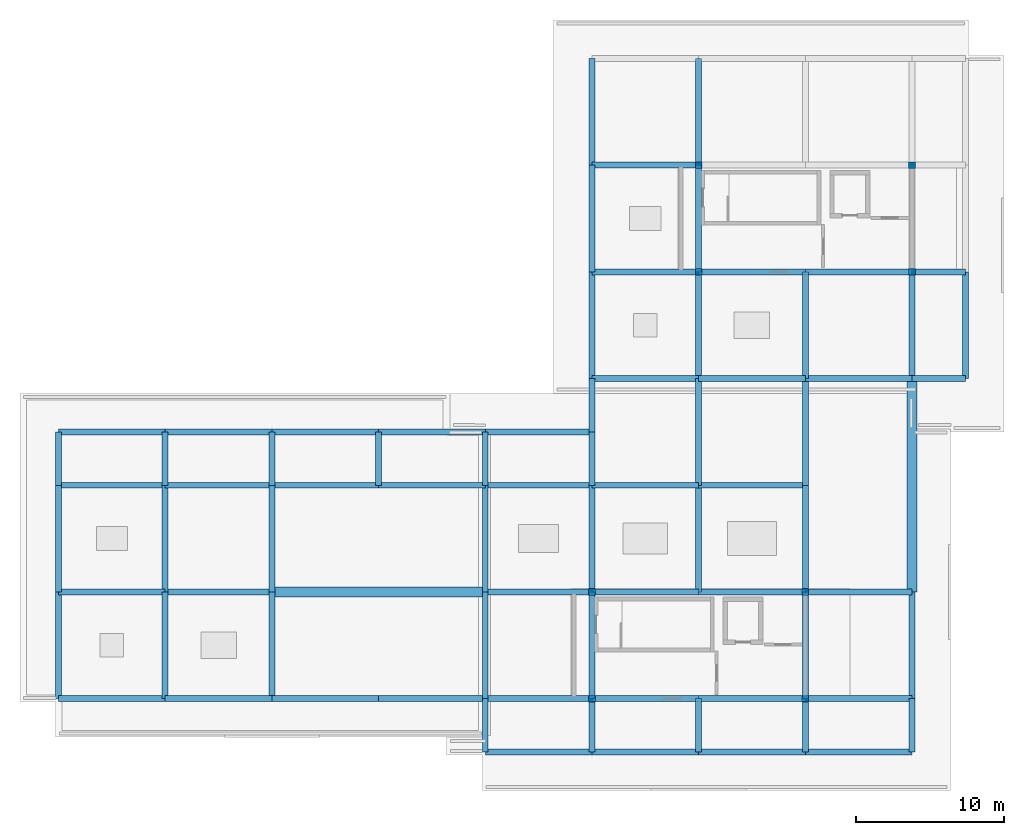
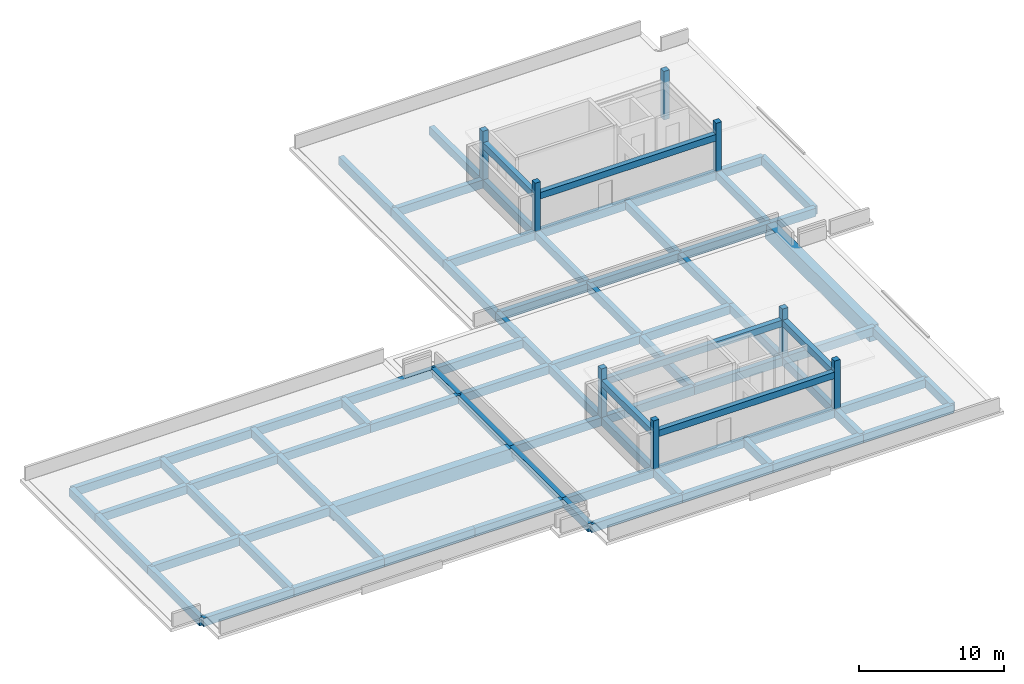
# One storey, part 1 of 4: 84 beams, 8 columns.
"""IFC4 building model written with IfcOpenShell, lengths in metres."""

from ifc_helpers import new_model, si_unit, direction, frame, origin, origin_2d, place, context, subcontext, project, spatial, rectangle, extrude, material, material_profile, profile_set, type_object, element, save


model = new_model("IFC4")

# Units and contexts
model_context = context("Model", 3, precision=1e-05, world=origin(), true_north=direction((0.0, 1.0)))
body_context = subcontext(model_context, "Body", "Model", "MODEL_VIEW")
ifc_project = project(units=[si_unit("LENGTHUNIT", "METRE"), si_unit("AREAUNIT", "SQUARE_METRE"), si_unit("VOLUMEUNIT", "CUBIC_METRE"), si_unit("PLANEANGLEUNIT", "RADIAN"), si_unit("MASSUNIT", "GRAM", prefix="KILO")], contexts=[model_context])

# Site, building, storey
site_placement = place(None, origin())
site = spatial("IfcSite", under=ifc_project, at=site_placement, CompositionType="ELEMENT")
building_placement = place(site_placement, origin())
building = spatial("IfcBuilding", under=site, at=building_placement, Name="Seraya Terrace Polytechnic", CompositionType="ELEMENT")
storey_placement = place(building_placement, frame((0.0, 0.0, 36.89990234375)))
storey = spatial("IfcBuildingStorey", under=building, at=storey_placement, Name="RF", CompositionType="ELEMENT", Elevation=36.89990234375)

# Columns
ifc_material = material(Name="Concrete C40/50", Category="concrete")
ifc_material_profile_1 = material_profile(ifc_material, rectangle(XDim=0.449951171875, YDim=0.449951171875, at=origin_2d()), Name="RC 450x450")
ifc_profile_set_1 = profile_set([ifc_material_profile_1], Name="Concrete C40/50")
column_type = type_object("IfcColumnType", Name="C-12", PredefinedType="COLUMN", material=ifc_profile_set_1)
for number, where, z_axis, x_axis, name in (
    (1, (79.199951171875, 7.199951171875, 0.0), (0.0, 0.0, 1.0), (1.0, 0.0, 0.0), "Roof headhouse column C-12 RF (79.2, 7.2)"),
    (2, (93.60009765625, 7.199951171875, 0.0), (0.0, 0.0, 1.0), (1.0, 0.0, 0.0), "Roof headhouse column C-12 RF (93.6, 7.2)"),
    (3, (79.199951171875, 14.39990234375, 0.0), (0.0, 0.0, 1.0), (1.0, 0.0, 0.0), "Roof headhouse column C-12 RF (79.2, 14.4)"),
    (4, (93.60009765625, 14.39990234375, 0.0), (0.0, 0.0, 1.0), (1.0, 0.0, 0.0), "Roof headhouse column C-12 RF (93.6, 14.4)"),
    (5, (86.39990234375, 36.0, 0.0), (0.0, 0.0, 1.0), (1.0, 0.0, 0.0), "Roof headhouse column C-12 RF (86.4, 36.0)"),
    (6, (100.800048828125, 36.0, 0.0), (0.0, 0.0, 1.0), (1.0, 0.0, 0.0), "Roof headhouse column C-12 RF (100.8, 36.0)"),
    (7, (86.39990234375, 43.199951171875, 0.0), (0.0, 0.0, 1.0), (1.0, 0.0, 0.0), "Roof headhouse column C-12 RF (86.4, 43.2)"),
    (8, (100.800048828125, 43.199951171875, 0.0), (0.0, 0.0, 1.0), (1.0, 0.0, 0.0), "Roof headhouse column C-12 RF (100.8, 43.2)"),
):
    element("IfcColumn", number, at=place(storey_placement, frame(where, z_axis=z_axis, x_axis=x_axis)), inside=storey, type_object=column_type, Name=name, PredefinedType="COLUMN", context=body_context, shape_type="SweptSolid", body=[
        extrude(rectangle(XDim=0.449951171875, YDim=0.449951171875, at=origin_2d()), origin(), (0.0, 0.0, 1.0), 4.090087890625),
    ])

# Beams
ifc_material_profile_2 = material_profile(ifc_material, rectangle(XDim=0.699951171875, YDim=1.300048828125, at=origin_2d()), Name="RC 700x1300")
ifc_profile_set_2 = profile_set([ifc_material_profile_2], Name="Concrete C40/50")
beam_type_1 = type_object("IfcBeamType", Name="BG-01", PredefinedType="USERDEFINED", material=ifc_profile_set_2)
beam_1_placement = place(storey_placement, frame((100.800048828125, 14.39990234375, -0.64990234375), z_axis=(0.0, 1.0, 0.0), x_axis=(-1.0, 0.0, 0.0)))
element("IfcBeam", 9, at=beam_1_placement, inside=storey, type_object=beam_type_1, Name="Beam BG-01 RF Y (100.8, 14.4..28.8)", ObjectType="GIRDER", PredefinedType="USERDEFINED", context=body_context, shape_type="SweptSolid", body=[
    extrude(rectangle(XDim=0.699951171875, YDim=1.300048828125, at=origin_2d()), origin(), (0.0, 0.0, 1.0), 14.400146484375),
])
ifc_material_profile_3 = material_profile(ifc_material, rectangle(XDim=0.64990234375, YDim=1.14990234375, at=origin_2d()), Name="RC 650x1150")
ifc_profile_set_3 = profile_set([ifc_material_profile_3], Name="Concrete C40/50")
beam_type_2 = type_object("IfcBeamType", Name="BG-02", PredefinedType="USERDEFINED", material=ifc_profile_set_3)
beam_2_placement = place(storey_placement, frame((57.60009765625, 14.39990234375, -0.574951171875), z_axis=(1.0, 0.0, 0.0), x_axis=(0.0, 1.0, 0.0)))
element("IfcBeam", 10, at=beam_2_placement, inside=storey, type_object=beam_type_2, Name="Beam BG-02 RF X (57.6..72.0, 14.4)", ObjectType="GIRDER", PredefinedType="USERDEFINED", context=body_context, shape_type="SweptSolid", body=[
    extrude(rectangle(XDim=0.64990234375, YDim=1.14990234375, at=origin_2d()), origin(), (0.0, 0.0, 1.0), 14.39990234375),
])
ifc_material_profile_4 = material_profile(ifc_material, rectangle(XDim=0.39990234375, YDim=0.699951171875, at=origin_2d()), Name="RC 400x700")
ifc_profile_set_4 = profile_set([ifc_material_profile_4], Name="Concrete C40/50")
beam_type_3 = type_object("IfcBeamType", Name="BM-10", PredefinedType="BEAM", material=ifc_profile_set_4)
for number, where, z_axis, x_axis, name in (
    (11, (72.0, 3.60009765625, -0.349853515625), (1.0, 0.0, 0.0), (0.0, 1.0, 0.0), "Beam BM-10 RF X (72.0..79.2, 3.6)"),
    (12, (79.199951171875, 3.60009765625, -0.349853515625), (1.0, 0.0, 0.0), (0.0, 1.0, 0.0), "Beam BM-10 RF X (79.2..86.4, 3.6)"),
):
    element("IfcBeam", number, at=place(storey_placement, frame(where, z_axis=z_axis, x_axis=x_axis)), inside=storey, type_object=beam_type_3, Name=name, PredefinedType="BEAM", context=body_context, shape_type="SweptSolid", body=[
        extrude(rectangle(XDim=0.39990234375, YDim=0.699951171875, at=origin_2d()), origin(), (0.0, 0.0, 1.0), 7.199951171875),
    ])
beam_3_placement = place(storey_placement, frame((86.39990234375, 3.60009765625, -0.349853515625), z_axis=(1.0, 0.0, 0.0), x_axis=(0.0, 1.0, 0.0)))
element("IfcBeam", 13, at=beam_3_placement, inside=storey, type_object=beam_type_3, Name="Beam BM-10 RF X (86.4..93.6, 3.6)", PredefinedType="BEAM", context=body_context, shape_type="SweptSolid", body=[
    extrude(rectangle(XDim=0.39990234375, YDim=0.699951171875, at=origin_2d()), origin(), (0.0, 0.0, 1.0), 7.2001953125),
])
for number, where, z_axis, x_axis, name in (
    (14, (93.60009765625, 3.60009765625, -0.349853515625), (1.0, 0.0, 0.0), (0.0, 1.0, 0.0), "Beam BM-10 RF X (93.6..100.8, 3.6)"),
    (15, (43.199951171875, 7.199951171875, -0.349853515625), (1.0, 0.0, 0.0), (0.0, 1.0, 0.0), "Beam BM-10 RF X (43.2..50.4, 7.2)"),
):
    element("IfcBeam", number, at=place(storey_placement, frame(where, z_axis=z_axis, x_axis=x_axis)), inside=storey, type_object=beam_type_3, Name=name, PredefinedType="BEAM", context=body_context, shape_type="SweptSolid", body=[
        extrude(rectangle(XDim=0.39990234375, YDim=0.699951171875, at=origin_2d()), origin(), (0.0, 0.0, 1.0), 7.199951171875),
    ])
beam_4_placement = place(storey_placement, frame((50.39990234375, 7.199951171875, -0.349853515625), z_axis=(1.0, 0.0, 0.0), x_axis=(0.0, 1.0, 0.0)))
element("IfcBeam", 16, at=beam_4_placement, inside=storey, type_object=beam_type_3, Name="Beam BM-10 RF X (50.4..57.6, 7.2)", PredefinedType="BEAM", context=body_context, shape_type="SweptSolid", body=[
    extrude(rectangle(XDim=0.39990234375, YDim=0.699951171875, at=origin_2d()), origin(), (0.0, 0.0, 1.0), 7.2001953125),
])
for number, where, z_axis, x_axis, name in (
    (17, (57.60009765625, 7.199951171875, -0.349853515625), (1.0, 0.0, 0.0), (0.0, 1.0, 0.0), "Beam BM-10 RF X (57.6..64.8, 7.2)"),
    (18, (64.800048828125, 7.199951171875, -0.349853515625), (1.0, 0.0, 0.0), (0.0, 1.0, 0.0), "Beam BM-10 RF X (64.8..72.0, 7.2)"),
    (19, (72.0, 7.199951171875, -0.349853515625), (1.0, 0.0, 0.0), (0.0, 1.0, 0.0), "Beam BM-10 RF X (72.0..79.2, 7.2)"),
    (20, (79.199951171875, 7.199951171875, -0.349853515625), (1.0, 0.0, 0.0), (0.0, 1.0, 0.0), "Beam BM-10 RF X (79.2..86.4, 7.2)"),
):
    element("IfcBeam", number, at=place(storey_placement, frame(where, z_axis=z_axis, x_axis=x_axis)), inside=storey, type_object=beam_type_3, Name=name, PredefinedType="BEAM", context=body_context, shape_type="SweptSolid", body=[
        extrude(rectangle(XDim=0.39990234375, YDim=0.699951171875, at=origin_2d()), origin(), (0.0, 0.0, 1.0), 7.199951171875),
    ])
beam_5_placement = place(storey_placement, frame((86.39990234375, 7.199951171875, -0.349853515625), z_axis=(1.0, 0.0, 0.0), x_axis=(0.0, 1.0, 0.0)))
element("IfcBeam", 21, at=beam_5_placement, inside=storey, type_object=beam_type_3, Name="Beam BM-10 RF X (86.4..93.6, 7.2)", PredefinedType="BEAM", context=body_context, shape_type="SweptSolid", body=[
    extrude(rectangle(XDim=0.39990234375, YDim=0.699951171875, at=origin_2d()), origin(), (0.0, 0.0, 1.0), 7.2001953125),
])
for number, where, z_axis, x_axis, name in (
    (22, (93.60009765625, 7.199951171875, -0.349853515625), (1.0, 0.0, 0.0), (0.0, 1.0, 0.0), "Beam BM-10 RF X (93.6..100.8, 7.2)"),
    (23, (43.199951171875, 14.39990234375, -0.349853515625), (1.0, 0.0, 0.0), (0.0, 1.0, 0.0), "Beam BM-10 RF X (43.2..50.4, 14.4)"),
):
    element("IfcBeam", number, at=place(storey_placement, frame(where, z_axis=z_axis, x_axis=x_axis)), inside=storey, type_object=beam_type_3, Name=name, PredefinedType="BEAM", context=body_context, shape_type="SweptSolid", body=[
        extrude(rectangle(XDim=0.39990234375, YDim=0.699951171875, at=origin_2d()), origin(), (0.0, 0.0, 1.0), 7.199951171875),
    ])
beam_6_placement = place(storey_placement, frame((50.39990234375, 14.39990234375, -0.349853515625), z_axis=(1.0, 0.0, 0.0), x_axis=(0.0, 1.0, 0.0)))
element("IfcBeam", 24, at=beam_6_placement, inside=storey, type_object=beam_type_3, Name="Beam BM-10 RF X (50.4..57.6, 14.4)", PredefinedType="BEAM", context=body_context, shape_type="SweptSolid", body=[
    extrude(rectangle(XDim=0.39990234375, YDim=0.699951171875, at=origin_2d()), origin(), (0.0, 0.0, 1.0), 7.2001953125),
])
for number, where, z_axis, x_axis, name in (
    (25, (72.0, 14.39990234375, -0.349853515625), (1.0, 0.0, 0.0), (0.0, 1.0, 0.0), "Beam BM-10 RF X (72.0..79.2, 14.4)"),
    (26, (79.199951171875, 14.39990234375, -0.349853515625), (1.0, 0.0, 0.0), (0.0, 1.0, 0.0), "Beam BM-10 RF X (79.2..86.4, 14.4)"),
):
    element("IfcBeam", number, at=place(storey_placement, frame(where, z_axis=z_axis, x_axis=x_axis)), inside=storey, type_object=beam_type_3, Name=name, PredefinedType="BEAM", context=body_context, shape_type="SweptSolid", body=[
        extrude(rectangle(XDim=0.39990234375, YDim=0.699951171875, at=origin_2d()), origin(), (0.0, 0.0, 1.0), 7.199951171875),
    ])
beam_7_placement = place(storey_placement, frame((86.39990234375, 14.39990234375, -0.349853515625), z_axis=(1.0, 0.0, 0.0), x_axis=(0.0, 1.0, 0.0)))
element("IfcBeam", 27, at=beam_7_placement, inside=storey, type_object=beam_type_3, Name="Beam BM-10 RF X (86.4..93.6, 14.4)", PredefinedType="BEAM", context=body_context, shape_type="SweptSolid", body=[
    extrude(rectangle(XDim=0.39990234375, YDim=0.699951171875, at=origin_2d()), origin(), (0.0, 0.0, 1.0), 7.2001953125),
])
for number, where, z_axis, x_axis, name in (
    (28, (93.60009765625, 14.39990234375, -0.349853515625), (1.0, 0.0, 0.0), (0.0, 1.0, 0.0), "Beam BM-10 RF X (93.6..100.8, 14.4)"),
    (29, (43.199951171875, 21.60009765625, -0.349853515625), (1.0, 0.0, 0.0), (0.0, 1.0, 0.0), "Beam BM-10 RF X (43.2..50.4, 21.6)"),
):
    element("IfcBeam", number, at=place(storey_placement, frame(where, z_axis=z_axis, x_axis=x_axis)), inside=storey, type_object=beam_type_3, Name=name, PredefinedType="BEAM", context=body_context, shape_type="SweptSolid", body=[
        extrude(rectangle(XDim=0.39990234375, YDim=0.699951171875, at=origin_2d()), origin(), (0.0, 0.0, 1.0), 7.199951171875),
    ])
beam_8_placement = place(storey_placement, frame((50.39990234375, 21.60009765625, -0.349853515625), z_axis=(1.0, 0.0, 0.0), x_axis=(0.0, 1.0, 0.0)))
element("IfcBeam", 30, at=beam_8_placement, inside=storey, type_object=beam_type_3, Name="Beam BM-10 RF X (50.4..57.6, 21.6)", PredefinedType="BEAM", context=body_context, shape_type="SweptSolid", body=[
    extrude(rectangle(XDim=0.39990234375, YDim=0.699951171875, at=origin_2d()), origin(), (0.0, 0.0, 1.0), 7.2001953125),
])
for number, where, z_axis, x_axis, name in (
    (31, (57.60009765625, 21.60009765625, -0.349853515625), (1.0, 0.0, 0.0), (0.0, 1.0, 0.0), "Beam BM-10 RF X (57.6..64.8, 21.6)"),
    (32, (64.800048828125, 21.60009765625, -0.349853515625), (1.0, 0.0, 0.0), (0.0, 1.0, 0.0), "Beam BM-10 RF X (64.8..72.0, 21.6)"),
    (33, (72.0, 21.60009765625, -0.349853515625), (1.0, 0.0, 0.0), (0.0, 1.0, 0.0), "Beam BM-10 RF X (72.0..79.2, 21.6)"),
    (34, (79.199951171875, 21.60009765625, -0.349853515625), (1.0, 0.0, 0.0), (0.0, 1.0, 0.0), "Beam BM-10 RF X (79.2..86.4, 21.6)"),
):
    element("IfcBeam", number, at=place(storey_placement, frame(where, z_axis=z_axis, x_axis=x_axis)), inside=storey, type_object=beam_type_3, Name=name, PredefinedType="BEAM", context=body_context, shape_type="SweptSolid", body=[
        extrude(rectangle(XDim=0.39990234375, YDim=0.699951171875, at=origin_2d()), origin(), (0.0, 0.0, 1.0), 7.199951171875),
    ])
beam_9_placement = place(storey_placement, frame((86.39990234375, 21.60009765625, -0.349853515625), z_axis=(1.0, 0.0, 0.0), x_axis=(0.0, 1.0, 0.0)))
element("IfcBeam", 35, at=beam_9_placement, inside=storey, type_object=beam_type_3, Name="Beam BM-10 RF X (86.4..93.6, 21.6)", PredefinedType="BEAM", context=body_context, shape_type="SweptSolid", body=[
    extrude(rectangle(XDim=0.39990234375, YDim=0.699951171875, at=origin_2d()), origin(), (0.0, 0.0, 1.0), 7.2001953125),
])
beam_10_placement = place(storey_placement, frame((43.199951171875, 25.199951171875, -0.349853515625), z_axis=(1.0, 0.0, 0.0), x_axis=(0.0, 1.0, 0.0)))
element("IfcBeam", 36, at=beam_10_placement, inside=storey, type_object=beam_type_3, Name="Beam BM-10 RF X (43.2..50.4, 25.2)", PredefinedType="BEAM", context=body_context, shape_type="SweptSolid", body=[
    extrude(rectangle(XDim=0.39990234375, YDim=0.699951171875, at=origin_2d()), origin(), (0.0, 0.0, 1.0), 7.199951171875),
])
beam_11_placement = place(storey_placement, frame((50.39990234375, 25.199951171875, -0.349853515625), z_axis=(1.0, 0.0, 0.0), x_axis=(0.0, 1.0, 0.0)))
element("IfcBeam", 37, at=beam_11_placement, inside=storey, type_object=beam_type_3, Name="Beam BM-10 RF X (50.4..57.6, 25.2)", PredefinedType="BEAM", context=body_context, shape_type="SweptSolid", body=[
    extrude(rectangle(XDim=0.39990234375, YDim=0.699951171875, at=origin_2d()), origin(), (0.0, 0.0, 1.0), 7.2001953125),
])
for number, where, z_axis, x_axis, name in (
    (38, (57.60009765625, 25.199951171875, -0.349853515625), (1.0, 0.0, 0.0), (0.0, 1.0, 0.0), "Beam BM-10 RF X (57.6..64.8, 25.2)"),
    (39, (64.800048828125, 25.199951171875, -0.349853515625), (1.0, 0.0, 0.0), (0.0, 1.0, 0.0), "Beam BM-10 RF X (64.8..72.0, 25.2)"),
    (40, (72.0, 25.199951171875, -0.349853515625), (1.0, 0.0, 0.0), (0.0, 1.0, 0.0), "Beam BM-10 RF X (72.0..79.2, 25.2)"),
    (41, (79.199951171875, 28.800048828125, -0.349853515625), (1.0, 0.0, 0.0), (0.0, 1.0, 0.0), "Beam BM-10 RF X (79.2..86.4, 28.8)"),
):
    element("IfcBeam", number, at=place(storey_placement, frame(where, z_axis=z_axis, x_axis=x_axis)), inside=storey, type_object=beam_type_3, Name=name, PredefinedType="BEAM", context=body_context, shape_type="SweptSolid", body=[
        extrude(rectangle(XDim=0.39990234375, YDim=0.699951171875, at=origin_2d()), origin(), (0.0, 0.0, 1.0), 7.199951171875),
    ])
beam_12_placement = place(storey_placement, frame((86.39990234375, 28.800048828125, -0.349853515625), z_axis=(1.0, 0.0, 0.0), x_axis=(0.0, 1.0, 0.0)))
element("IfcBeam", 42, at=beam_12_placement, inside=storey, type_object=beam_type_3, Name="Beam BM-10 RF X (86.4..93.6, 28.8)", PredefinedType="BEAM", context=body_context, shape_type="SweptSolid", body=[
    extrude(rectangle(XDim=0.39990234375, YDim=0.699951171875, at=origin_2d()), origin(), (0.0, 0.0, 1.0), 7.2001953125),
])
beam_13_placement = place(storey_placement, frame((93.60009765625, 28.800048828125, -0.349853515625), z_axis=(1.0, 0.0, 0.0), x_axis=(0.0, 1.0, 0.0)))
element("IfcBeam", 43, at=beam_13_placement, inside=storey, type_object=beam_type_3, Name="Beam BM-10 RF X (93.6..100.8, 28.8)", PredefinedType="BEAM", context=body_context, shape_type="SweptSolid", body=[
    extrude(rectangle(XDim=0.39990234375, YDim=0.699951171875, at=origin_2d()), origin(), (0.0, 0.0, 1.0), 7.199951171875),
])
beam_14_placement = place(storey_placement, frame((100.800048828125, 28.800048828125, -0.349853515625), z_axis=(1.0, 0.0, 0.0), x_axis=(0.0, 1.0, 0.0)))
element("IfcBeam", 44, at=beam_14_placement, inside=storey, type_object=beam_type_3, Name="Beam BM-10 RF X (100.8..104.4, 28.8)", PredefinedType="BEAM", context=body_context, shape_type="SweptSolid", body=[
    extrude(rectangle(XDim=0.39990234375, YDim=0.699951171875, at=origin_2d()), origin(), (0.0, 0.0, 1.0), 3.599853515625),
])
beam_15_placement = place(storey_placement, frame((79.199951171875, 36.0, -0.349853515625), z_axis=(1.0, 0.0, 0.0), x_axis=(0.0, 1.0, 0.0)))
element("IfcBeam", 45, at=beam_15_placement, inside=storey, type_object=beam_type_3, Name="Beam BM-10 RF X (79.2..86.4, 36.0)", PredefinedType="BEAM", context=body_context, shape_type="SweptSolid", body=[
    extrude(rectangle(XDim=0.39990234375, YDim=0.699951171875, at=origin_2d()), origin(), (0.0, 0.0, 1.0), 7.199951171875),
])
beam_16_placement = place(storey_placement, frame((86.39990234375, 36.0, -0.349853515625), z_axis=(1.0, 0.0, 0.0), x_axis=(0.0, 1.0, 0.0)))
element("IfcBeam", 46, at=beam_16_placement, inside=storey, type_object=beam_type_3, Name="Beam BM-10 RF X (86.4..93.6, 36.0)", PredefinedType="BEAM", context=body_context, shape_type="SweptSolid", body=[
    extrude(rectangle(XDim=0.39990234375, YDim=0.699951171875, at=origin_2d()), origin(), (0.0, 0.0, 1.0), 7.2001953125),
])
beam_17_placement = place(storey_placement, frame((93.60009765625, 36.0, -0.349853515625), z_axis=(1.0, 0.0, 0.0), x_axis=(0.0, 1.0, 0.0)))
element("IfcBeam", 47, at=beam_17_placement, inside=storey, type_object=beam_type_3, Name="Beam BM-10 RF X (93.6..100.8, 36.0)", PredefinedType="BEAM", context=body_context, shape_type="SweptSolid", body=[
    extrude(rectangle(XDim=0.39990234375, YDim=0.699951171875, at=origin_2d()), origin(), (0.0, 0.0, 1.0), 7.199951171875),
])
beam_18_placement = place(storey_placement, frame((100.800048828125, 36.0, -0.349853515625), z_axis=(1.0, 0.0, 0.0), x_axis=(0.0, 1.0, 0.0)))
element("IfcBeam", 48, at=beam_18_placement, inside=storey, type_object=beam_type_3, Name="Beam BM-10 RF X (100.8..104.4, 36.0)", PredefinedType="BEAM", context=body_context, shape_type="SweptSolid", body=[
    extrude(rectangle(XDim=0.39990234375, YDim=0.699951171875, at=origin_2d()), origin(), (0.0, 0.0, 1.0), 3.599853515625),
])
for number, where, z_axis, x_axis, name in (
    (49, (79.199951171875, 43.199951171875, -0.349853515625), (1.0, 0.0, 0.0), (0.0, 1.0, 0.0), "Beam BM-10 RF X (79.2..86.4, 43.2)"),
    (50, (43.199951171875, 7.199951171875, -0.349853515625), (0.0, 1.0, 0.0), (-1.0, 0.0, 0.0), "Beam BM-10 RF Y (43.2, 7.2..14.4)"),
):
    element("IfcBeam", number, at=place(storey_placement, frame(where, z_axis=z_axis, x_axis=x_axis)), inside=storey, type_object=beam_type_3, Name=name, PredefinedType="BEAM", context=body_context, shape_type="SweptSolid", body=[
        extrude(rectangle(XDim=0.39990234375, YDim=0.699951171875, at=origin_2d()), origin(), (0.0, 0.0, 1.0), 7.199951171875),
    ])
beam_19_placement = place(storey_placement, frame((43.199951171875, 14.39990234375, -0.349853515625), z_axis=(0.0, 1.0, 0.0), x_axis=(-1.0, 0.0, 0.0)))
element("IfcBeam", 51, at=beam_19_placement, inside=storey, type_object=beam_type_3, Name="Beam BM-10 RF Y (43.2, 14.4..21.6)", PredefinedType="BEAM", context=body_context, shape_type="SweptSolid", body=[
    extrude(rectangle(XDim=0.39990234375, YDim=0.699951171875, at=origin_2d()), origin(), (0.0, 0.0, 1.0), 7.2001953125),
])
beam_20_placement = place(storey_placement, frame((43.199951171875, 21.60009765625, -0.349853515625), z_axis=(0.0, 1.0, 0.0), x_axis=(-1.0, 0.0, 0.0)))
element("IfcBeam", 52, at=beam_20_placement, inside=storey, type_object=beam_type_3, Name="Beam BM-10 RF Y (43.2, 21.6..25.2)", PredefinedType="BEAM", context=body_context, shape_type="SweptSolid", body=[
    extrude(rectangle(XDim=0.39990234375, YDim=0.699951171875, at=origin_2d()), origin(), (0.0, 0.0, 1.0), 3.599853515625),
])
beam_21_placement = place(storey_placement, frame((50.39990234375, 7.199951171875, -0.349853515625), z_axis=(0.0, 1.0, 0.0), x_axis=(-1.0, 0.0, 0.0)))
element("IfcBeam", 53, at=beam_21_placement, inside=storey, type_object=beam_type_3, Name="Beam BM-10 RF Y (50.4, 7.2..14.4)", PredefinedType="BEAM", context=body_context, shape_type="SweptSolid", body=[
    extrude(rectangle(XDim=0.39990234375, YDim=0.699951171875, at=origin_2d()), origin(), (0.0, 0.0, 1.0), 7.199951171875),
])
beam_22_placement = place(storey_placement, frame((50.39990234375, 14.39990234375, -0.349853515625), z_axis=(0.0, 1.0, 0.0), x_axis=(-1.0, 0.0, 0.0)))
element("IfcBeam", 54, at=beam_22_placement, inside=storey, type_object=beam_type_3, Name="Beam BM-10 RF Y (50.4, 14.4..21.6)", PredefinedType="BEAM", context=body_context, shape_type="SweptSolid", body=[
    extrude(rectangle(XDim=0.39990234375, YDim=0.699951171875, at=origin_2d()), origin(), (0.0, 0.0, 1.0), 7.2001953125),
])
beam_23_placement = place(storey_placement, frame((50.39990234375, 21.60009765625, -0.349853515625), z_axis=(0.0, 1.0, 0.0), x_axis=(-1.0, 0.0, 0.0)))
element("IfcBeam", 55, at=beam_23_placement, inside=storey, type_object=beam_type_3, Name="Beam BM-10 RF Y (50.4, 21.6..25.2)", PredefinedType="BEAM", context=body_context, shape_type="SweptSolid", body=[
    extrude(rectangle(XDim=0.39990234375, YDim=0.699951171875, at=origin_2d()), origin(), (0.0, 0.0, 1.0), 3.599853515625),
])
beam_24_placement = place(storey_placement, frame((57.60009765625, 7.199951171875, -0.349853515625), z_axis=(0.0, 1.0, 0.0), x_axis=(-1.0, 0.0, 0.0)))
element("IfcBeam", 56, at=beam_24_placement, inside=storey, type_object=beam_type_3, Name="Beam BM-10 RF Y (57.6, 7.2..14.4)", PredefinedType="BEAM", context=body_context, shape_type="SweptSolid", body=[
    extrude(rectangle(XDim=0.39990234375, YDim=0.699951171875, at=origin_2d()), origin(), (0.0, 0.0, 1.0), 7.199951171875),
])
beam_25_placement = place(storey_placement, frame((57.60009765625, 14.39990234375, -0.349853515625), z_axis=(0.0, 1.0, 0.0), x_axis=(-1.0, 0.0, 0.0)))
element("IfcBeam", 57, at=beam_25_placement, inside=storey, type_object=beam_type_3, Name="Beam BM-10 RF Y (57.6, 14.4..21.6)", PredefinedType="BEAM", context=body_context, shape_type="SweptSolid", body=[
    extrude(rectangle(XDim=0.39990234375, YDim=0.699951171875, at=origin_2d()), origin(), (0.0, 0.0, 1.0), 7.2001953125),
])
for number, where, z_axis, x_axis, name in (
    (58, (57.60009765625, 21.60009765625, -0.349853515625), (0.0, 1.0, 0.0), (-1.0, 0.0, 0.0), "Beam BM-10 RF Y (57.6, 21.6..25.2)"),
    (59, (64.800048828125, 21.60009765625, -0.349853515625), (0.0, 1.0, 0.0), (-1.0, 0.0, 0.0), "Beam BM-10 RF Y (64.8, 21.6..25.2)"),
    (60, (72.0, 3.60009765625, -0.349853515625), (0.0, 1.0, 0.0), (-1.0, 0.0, 0.0), "Beam BM-10 RF Y (72.0, 3.6..7.2)"),
):
    element("IfcBeam", number, at=place(storey_placement, frame(where, z_axis=z_axis, x_axis=x_axis)), inside=storey, type_object=beam_type_3, Name=name, PredefinedType="BEAM", context=body_context, shape_type="SweptSolid", body=[
        extrude(rectangle(XDim=0.39990234375, YDim=0.699951171875, at=origin_2d()), origin(), (0.0, 0.0, 1.0), 3.599853515625),
    ])
beam_26_placement = place(storey_placement, frame((72.0, 7.199951171875, -0.349853515625), z_axis=(0.0, 1.0, 0.0), x_axis=(-1.0, 0.0, 0.0)))
element("IfcBeam", 61, at=beam_26_placement, inside=storey, type_object=beam_type_3, Name="Beam BM-10 RF Y (72.0, 7.2..14.4)", PredefinedType="BEAM", context=body_context, shape_type="SweptSolid", body=[
    extrude(rectangle(XDim=0.39990234375, YDim=0.699951171875, at=origin_2d()), origin(), (0.0, 0.0, 1.0), 7.199951171875),
])
beam_27_placement = place(storey_placement, frame((72.0, 14.39990234375, -0.349853515625), z_axis=(0.0, 1.0, 0.0), x_axis=(-1.0, 0.0, 0.0)))
element("IfcBeam", 62, at=beam_27_placement, inside=storey, type_object=beam_type_3, Name="Beam BM-10 RF Y (72.0, 14.4..21.6)", PredefinedType="BEAM", context=body_context, shape_type="SweptSolid", body=[
    extrude(rectangle(XDim=0.39990234375, YDim=0.699951171875, at=origin_2d()), origin(), (0.0, 0.0, 1.0), 7.2001953125),
])
for number, where, z_axis, x_axis, name in (
    (63, (72.0, 21.60009765625, -0.349853515625), (0.0, 1.0, 0.0), (-1.0, 0.0, 0.0), "Beam BM-10 RF Y (72.0, 21.6..25.2)"),
    (64, (79.199951171875, 3.60009765625, -0.349853515625), (0.0, 1.0, 0.0), (-1.0, 0.0, 0.0), "Beam BM-10 RF Y (79.2, 3.6..7.2)"),
):
    element("IfcBeam", number, at=place(storey_placement, frame(where, z_axis=z_axis, x_axis=x_axis)), inside=storey, type_object=beam_type_3, Name=name, PredefinedType="BEAM", context=body_context, shape_type="SweptSolid", body=[
        extrude(rectangle(XDim=0.39990234375, YDim=0.699951171875, at=origin_2d()), origin(), (0.0, 0.0, 1.0), 3.599853515625),
    ])
beam_28_placement = place(storey_placement, frame((79.199951171875, 7.199951171875, -0.349853515625), z_axis=(0.0, 1.0, 0.0), x_axis=(-1.0, 0.0, 0.0)))
element("IfcBeam", 65, at=beam_28_placement, inside=storey, type_object=beam_type_3, Name="Beam BM-10 RF Y (79.2, 7.2..14.4)", PredefinedType="BEAM", context=body_context, shape_type="SweptSolid", body=[
    extrude(rectangle(XDim=0.39990234375, YDim=0.699951171875, at=origin_2d()), origin(), (0.0, 0.0, 1.0), 7.199951171875),
])
beam_29_placement = place(storey_placement, frame((79.199951171875, 14.39990234375, -0.349853515625), z_axis=(0.0, 1.0, 0.0), x_axis=(-1.0, 0.0, 0.0)))
element("IfcBeam", 66, at=beam_29_placement, inside=storey, type_object=beam_type_3, Name="Beam BM-10 RF Y (79.2, 14.4..21.6)", PredefinedType="BEAM", context=body_context, shape_type="SweptSolid", body=[
    extrude(rectangle(XDim=0.39990234375, YDim=0.699951171875, at=origin_2d()), origin(), (0.0, 0.0, 1.0), 7.2001953125),
])
beam_30_placement = place(storey_placement, frame((79.199951171875, 21.60009765625, -0.349853515625), z_axis=(0.0, 1.0, 0.0), x_axis=(-1.0, 0.0, 0.0)))
element("IfcBeam", 67, at=beam_30_placement, inside=storey, type_object=beam_type_3, Name="Beam BM-10 RF Y (79.2, 21.6..25.2)", PredefinedType="BEAM", context=body_context, shape_type="SweptSolid", body=[
    extrude(rectangle(XDim=0.39990234375, YDim=0.699951171875, at=origin_2d()), origin(), (0.0, 0.0, 1.0), 3.599853515625),
])
beam_31_placement = place(storey_placement, frame((79.199951171875, 25.199951171875, -0.349853515625), z_axis=(0.0, 1.0, 0.0), x_axis=(-1.0, 0.0, 0.0)))
element("IfcBeam", 68, at=beam_31_placement, inside=storey, type_object=beam_type_3, Name="Beam BM-10 RF Y (79.2, 25.2..28.8)", PredefinedType="BEAM", context=body_context, shape_type="SweptSolid", body=[
    extrude(rectangle(XDim=0.39990234375, YDim=0.699951171875, at=origin_2d()), origin(), (0.0, 0.0, 1.0), 3.60009765625),
])
for number, where, z_axis, x_axis, name in (
    (69, (79.199951171875, 28.800048828125, -0.349853515625), (0.0, 1.0, 0.0), (-1.0, 0.0, 0.0), "Beam BM-10 RF Y (79.2, 28.8..36.0)"),
    (70, (79.199951171875, 36.0, -0.349853515625), (0.0, 1.0, 0.0), (-1.0, 0.0, 0.0), "Beam BM-10 RF Y (79.2, 36.0..43.2)"),
    (71, (79.199951171875, 43.199951171875, -0.349853515625), (0.0, 1.0, 0.0), (-1.0, 0.0, 0.0), "Beam BM-10 RF Y (79.2, 43.2..50.4)"),
):
    element("IfcBeam", number, at=place(storey_placement, frame(where, z_axis=z_axis, x_axis=x_axis)), inside=storey, type_object=beam_type_3, Name=name, PredefinedType="BEAM", context=body_context, shape_type="SweptSolid", body=[
        extrude(rectangle(XDim=0.39990234375, YDim=0.699951171875, at=origin_2d()), origin(), (0.0, 0.0, 1.0), 7.199951171875),
    ])
beam_32_placement = place(storey_placement, frame((86.39990234375, 3.60009765625, -0.349853515625), z_axis=(0.0, 1.0, 0.0), x_axis=(-1.0, 0.0, 0.0)))
element("IfcBeam", 72, at=beam_32_placement, inside=storey, type_object=beam_type_3, Name="Beam BM-10 RF Y (86.4, 3.6..7.2)", PredefinedType="BEAM", context=body_context, shape_type="SweptSolid", body=[
    extrude(rectangle(XDim=0.39990234375, YDim=0.699951171875, at=origin_2d()), origin(), (0.0, 0.0, 1.0), 3.599853515625),
])
beam_33_placement = place(storey_placement, frame((86.39990234375, 14.39990234375, -0.349853515625), z_axis=(0.0, 1.0, 0.0), x_axis=(-1.0, 0.0, 0.0)))
element("IfcBeam", 73, at=beam_33_placement, inside=storey, type_object=beam_type_3, Name="Beam BM-10 RF Y (86.4, 14.4..21.6)", PredefinedType="BEAM", context=body_context, shape_type="SweptSolid", body=[
    extrude(rectangle(XDim=0.39990234375, YDim=0.699951171875, at=origin_2d()), origin(), (0.0, 0.0, 1.0), 7.2001953125),
])
for number, where, z_axis, x_axis, name in (
    (74, (86.39990234375, 21.60009765625, -0.349853515625), (0.0, 1.0, 0.0), (-1.0, 0.0, 0.0), "Beam BM-10 RF Y (86.4, 21.6..28.8)"),
    (75, (86.39990234375, 28.800048828125, -0.349853515625), (0.0, 1.0, 0.0), (-1.0, 0.0, 0.0), "Beam BM-10 RF Y (86.4, 28.8..36.0)"),
    (76, (86.39990234375, 36.0, -0.349853515625), (0.0, 1.0, 0.0), (-1.0, 0.0, 0.0), "Beam BM-10 RF Y (86.4, 36.0..43.2)"),
    (77, (86.39990234375, 43.199951171875, -0.349853515625), (0.0, 1.0, 0.0), (-1.0, 0.0, 0.0), "Beam BM-10 RF Y (86.4, 43.2..50.4)"),
):
    element("IfcBeam", number, at=place(storey_placement, frame(where, z_axis=z_axis, x_axis=x_axis)), inside=storey, type_object=beam_type_3, Name=name, PredefinedType="BEAM", context=body_context, shape_type="SweptSolid", body=[
        extrude(rectangle(XDim=0.39990234375, YDim=0.699951171875, at=origin_2d()), origin(), (0.0, 0.0, 1.0), 7.199951171875),
    ])
beam_34_placement = place(storey_placement, frame((93.60009765625, 3.60009765625, -0.349853515625), z_axis=(0.0, 1.0, 0.0), x_axis=(-1.0, 0.0, 0.0)))
element("IfcBeam", 78, at=beam_34_placement, inside=storey, type_object=beam_type_3, Name="Beam BM-10 RF Y (93.6, 3.6..7.2)", PredefinedType="BEAM", context=body_context, shape_type="SweptSolid", body=[
    extrude(rectangle(XDim=0.39990234375, YDim=0.699951171875, at=origin_2d()), origin(), (0.0, 0.0, 1.0), 3.599853515625),
])
beam_35_placement = place(storey_placement, frame((93.60009765625, 7.199951171875, -0.349853515625), z_axis=(0.0, 1.0, 0.0), x_axis=(-1.0, 0.0, 0.0)))
element("IfcBeam", 79, at=beam_35_placement, inside=storey, type_object=beam_type_3, Name="Beam BM-10 RF Y (93.6, 7.2..14.4)", PredefinedType="BEAM", context=body_context, shape_type="SweptSolid", body=[
    extrude(rectangle(XDim=0.39990234375, YDim=0.699951171875, at=origin_2d()), origin(), (0.0, 0.0, 1.0), 7.199951171875),
])
beam_36_placement = place(storey_placement, frame((93.60009765625, 14.39990234375, -0.349853515625), z_axis=(0.0, 1.0, 0.0), x_axis=(-1.0, 0.0, 0.0)))
element("IfcBeam", 80, at=beam_36_placement, inside=storey, type_object=beam_type_3, Name="Beam BM-10 RF Y (93.6, 14.4..21.6)", PredefinedType="BEAM", context=body_context, shape_type="SweptSolid", body=[
    extrude(rectangle(XDim=0.39990234375, YDim=0.699951171875, at=origin_2d()), origin(), (0.0, 0.0, 1.0), 7.2001953125),
])
for number, where, z_axis, x_axis, name in (
    (81, (93.60009765625, 21.60009765625, -0.349853515625), (0.0, 1.0, 0.0), (-1.0, 0.0, 0.0), "Beam BM-10 RF Y (93.6, 21.6..28.8)"),
    (82, (93.60009765625, 28.800048828125, -0.349853515625), (0.0, 1.0, 0.0), (-1.0, 0.0, 0.0), "Beam BM-10 RF Y (93.6, 28.8..36.0)"),
):
    element("IfcBeam", number, at=place(storey_placement, frame(where, z_axis=z_axis, x_axis=x_axis)), inside=storey, type_object=beam_type_3, Name=name, PredefinedType="BEAM", context=body_context, shape_type="SweptSolid", body=[
        extrude(rectangle(XDim=0.39990234375, YDim=0.699951171875, at=origin_2d()), origin(), (0.0, 0.0, 1.0), 7.199951171875),
    ])
beam_37_placement = place(storey_placement, frame((100.800048828125, 3.60009765625, -0.349853515625), z_axis=(0.0, 1.0, 0.0), x_axis=(-1.0, 0.0, 0.0)))
element("IfcBeam", 83, at=beam_37_placement, inside=storey, type_object=beam_type_3, Name="Beam BM-10 RF Y (100.8, 3.6..7.2)", PredefinedType="BEAM", context=body_context, shape_type="SweptSolid", body=[
    extrude(rectangle(XDim=0.39990234375, YDim=0.699951171875, at=origin_2d()), origin(), (0.0, 0.0, 1.0), 3.599853515625),
])
for number, where, z_axis, x_axis, name in (
    (84, (100.800048828125, 7.199951171875, -0.349853515625), (0.0, 1.0, 0.0), (-1.0, 0.0, 0.0), "Beam BM-10 RF Y (100.8, 7.2..14.4)"),
    (85, (100.800048828125, 28.800048828125, -0.349853515625), (0.0, 1.0, 0.0), (-1.0, 0.0, 0.0), "Beam BM-10 RF Y (100.8, 28.8..36.0)"),
    (86, (104.39990234375, 28.800048828125, -0.349853515625), (0.0, 1.0, 0.0), (-1.0, 0.0, 0.0), "Beam BM-10 RF Y (104.4, 28.8..36.0)"),
):
    element("IfcBeam", number, at=place(storey_placement, frame(where, z_axis=z_axis, x_axis=x_axis)), inside=storey, type_object=beam_type_3, Name=name, PredefinedType="BEAM", context=body_context, shape_type="SweptSolid", body=[
        extrude(rectangle(XDim=0.39990234375, YDim=0.699951171875, at=origin_2d()), origin(), (0.0, 0.0, 1.0), 7.199951171875),
    ])
ifc_material_profile_5 = material_profile(ifc_material, rectangle(XDim=0.39990234375, YDim=0.550048828125, at=origin_2d()), Name="RC 400x550")
ifc_profile_set_5 = profile_set([ifc_material_profile_5], Name="Concrete C40/50")
beam_type_4 = type_object("IfcBeamType", Name="BM-11", PredefinedType="BEAM", material=ifc_profile_set_5)
for number, where, z_axis, x_axis, name in (
    (87, (79.199951171875, 7.199951171875, 2.875), (1.0, 0.0, 0.0), (0.0, 1.0, 0.0), "Headhouse roof tie beam BM-RF-HHA-S"),
    (88, (79.199951171875, 14.39990234375, 2.875), (1.0, 0.0, 0.0), (0.0, 1.0, 0.0), "Headhouse roof tie beam BM-RF-HHA-N"),
):
    element("IfcBeam", number, at=place(storey_placement, frame(where, z_axis=z_axis, x_axis=x_axis)), inside=storey, type_object=beam_type_4, Name=name, PredefinedType="BEAM", context=body_context, shape_type="SweptSolid", body=[
        extrude(rectangle(XDim=0.39990234375, YDim=0.550048828125, at=origin_2d()), origin(), (0.0, 0.0, 1.0), 14.400146484375),
    ])
for number, where, z_axis, x_axis, name in (
    (89, (79.199951171875, 7.199951171875, 2.875), (0.0, 1.0, 0.0), (-1.0, 0.0, 0.0), "Headhouse roof tie beam BM-RF-HHA-W"),
    (90, (93.60009765625, 7.199951171875, 2.875), (0.0, 1.0, 0.0), (-1.0, 0.0, 0.0), "Headhouse roof tie beam BM-RF-HHA-E"),
):
    element("IfcBeam", number, at=place(storey_placement, frame(where, z_axis=z_axis, x_axis=x_axis)), inside=storey, type_object=beam_type_4, Name=name, PredefinedType="BEAM", context=body_context, shape_type="SweptSolid", body=[
        extrude(rectangle(XDim=0.39990234375, YDim=0.550048828125, at=origin_2d()), origin(), (0.0, 0.0, 1.0), 7.199951171875),
    ])
beam_38_placement = place(storey_placement, frame((86.39990234375, 36.0, 2.875), z_axis=(1.0, 0.0, 0.0), x_axis=(0.0, 1.0, 0.0)))
element("IfcBeam", 91, at=beam_38_placement, inside=storey, type_object=beam_type_4, Name="Headhouse roof tie beam BM-RF-HHB-S", PredefinedType="BEAM", context=body_context, shape_type="SweptSolid", body=[
    extrude(rectangle(XDim=0.39990234375, YDim=0.550048828125, at=origin_2d()), origin(), (0.0, 0.0, 1.0), 14.400146484375),
])
beam_39_placement = place(storey_placement, frame((86.39990234375, 36.0, 2.875), z_axis=(0.0, 1.0, 0.0), x_axis=(-1.0, 0.0, 0.0)))
element("IfcBeam", 92, at=beam_39_placement, inside=storey, type_object=beam_type_4, Name="Headhouse roof tie beam BM-RF-HHB-W", PredefinedType="BEAM", context=body_context, shape_type="SweptSolid", body=[
    extrude(rectangle(XDim=0.39990234375, YDim=0.550048828125, at=origin_2d()), origin(), (0.0, 0.0, 1.0), 7.199951171875),
])

save(model, "model.ifc")
